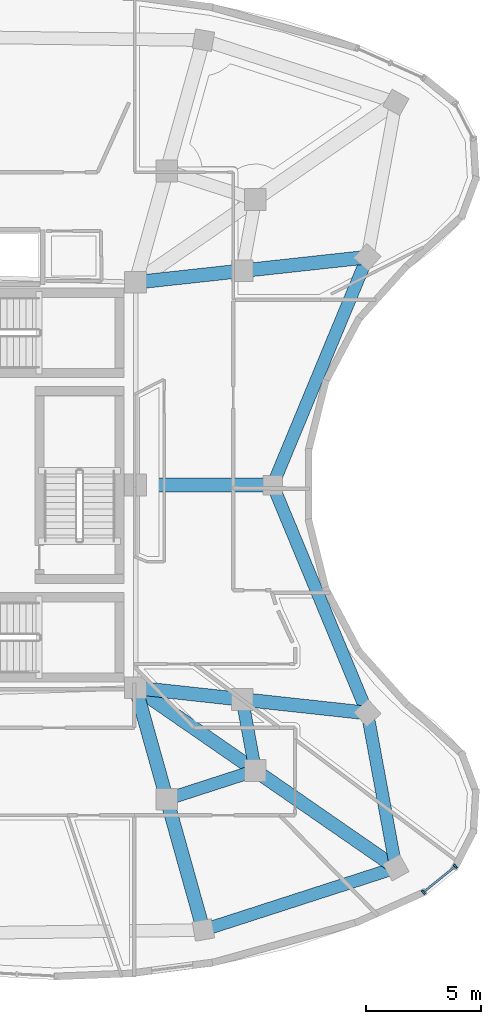
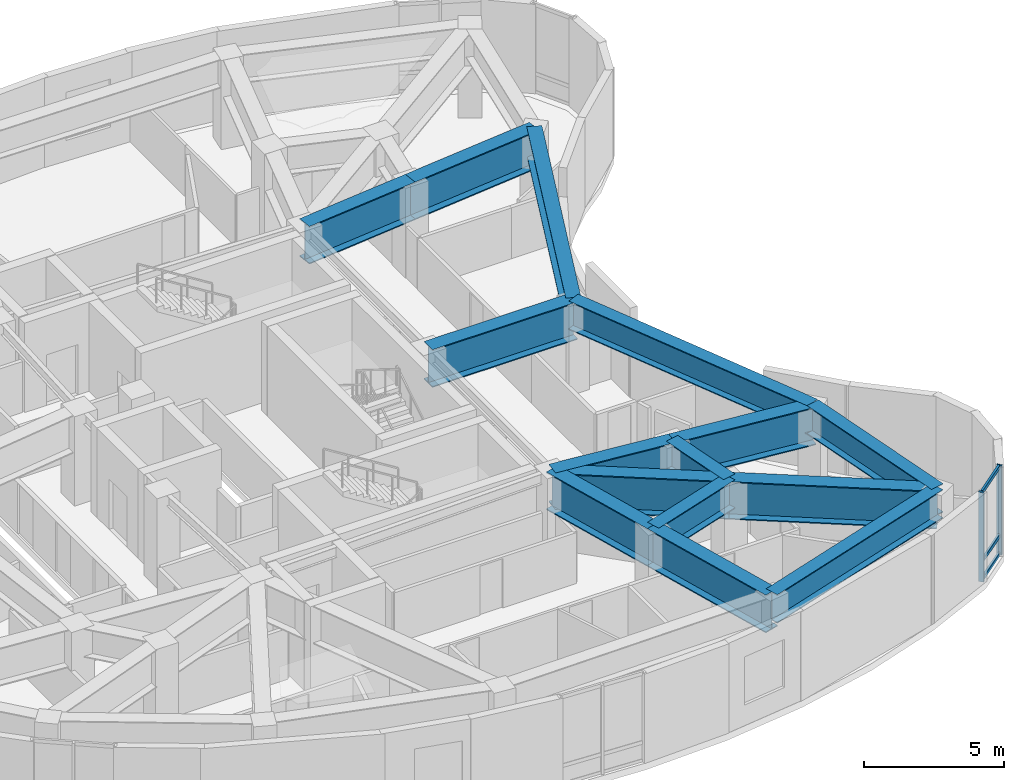
# One storey, part 3 of 13: 15 beams, 5 members, 1 element without a shape of its own.
"""IFC4 building model written with IfcOpenShell, lengths in metres."""

from ifc_helpers import new_model, si_unit, direction, frame, origin, origin_2d, place, context, subcontext, project, spatial, rectangle, i_section, extrude, material, layer, layer_set, material_profile, profile_set, type_object, element, aggregate, save


model = new_model("IFC4")

# Units and contexts
model_context = context("Model", 3, precision=1e-05, world=origin(), true_north=direction((0.0, 1.0)))
body_context = subcontext(model_context, "Body", "Model", "MODEL_VIEW")
ifc_project = project(units=[si_unit("LENGTHUNIT", "METRE"), si_unit("AREAUNIT", "SQUARE_METRE"), si_unit("VOLUMEUNIT", "CUBIC_METRE"), si_unit("PLANEANGLEUNIT", "RADIAN"), si_unit("MASSUNIT", "GRAM", prefix="KILO")], contexts=[model_context])

# Site, building, storey
site_placement = place(None, origin())
site = spatial("IfcSite", under=ifc_project, at=site_placement, CompositionType="ELEMENT")
building_placement = place(site_placement, origin())
building = spatial("IfcBuilding", under=site, at=building_placement, Name="Korentha Bioscience Tower", CompositionType="ELEMENT")
storey_placement = place(building_placement, frame((0.0, 0.0, 256.199951171875)))
storey = spatial("IfcBuildingStorey", under=building, at=storey_placement, Name="L59", CompositionType="ELEMENT", Elevation=256.199951171875)

# Beams
ifc_material_1 = material(Name="Steel S355", Category="steel")
ifc_material_profile_1 = material_profile(ifc_material_1, i_section(OverallWidth=0.550048828125, OverallDepth=1.25, WebThickness=0.02392578125, FlangeThickness=0.0400390625, at=origin_2d()), Name="Steel S355")
ifc_profile_set_1 = profile_set([ifc_material_profile_1], Name="Steel S355 (TG-03)")
beam_type_1 = type_object("IfcBeamType", Name="Crown Step Transfer Girder CVS 1250x510", PredefinedType="USERDEFINED", material=ifc_profile_set_1)
beam_1_placement = place(storey_placement, frame((38.9111328125, 13.285888671875, 3.275146484375), z_axis=(0.951528341902, 0.307561074514, 0.0), x_axis=(-0.307561074514, 0.951528341902, 0.0)))
element("IfcBeam", 1, at=beam_1_placement, inside=storey, type_object=beam_type_1, Name="L59 Mid-Ring Tie Girder 12", ObjectType="TRANSFER_GIRDER", PredefinedType="USERDEFINED", context=body_context, shape_type="SweptSolid", body=[
    extrude(i_section(OverallWidth=0.550048828125, OverallDepth=1.25, WebThickness=0.02392578125, FlangeThickness=0.0400390625, at=origin_2d()), origin(), (0.0, 0.0, 1.0), 4.062744140625),
])
beam_2_placement = place(storey_placement, frame((42.77685546875, 14.535400390625, 3.275146484375), z_axis=(-0.180965758034, 0.983489397207, 0.0), x_axis=(-0.983489397207, -0.180965758034, 0.0)))
element("IfcBeam", 2, at=beam_2_placement, inside=storey, type_object=beam_type_1, Name="L59 Mid-Ring Tie Girder 13", ObjectType="TRANSFER_GIRDER", PredefinedType="USERDEFINED", context=body_context, shape_type="SweptSolid", body=[
    extrude(i_section(OverallWidth=0.550048828125, OverallDepth=1.25, WebThickness=0.02392578125, FlangeThickness=0.0400390625, at=origin_2d()), origin(), (0.0, 0.0, 1.0), 3.15966796875),
])
beam_3_placement = place(storey_placement, frame((40.5087890625, 7.576171875, 3.275146484375), z_axis=(0.951540431246, 0.307523670151, 0.0), x_axis=(-0.307523670151, 0.951540431246, 0.0)))
element("IfcBeam", 3, at=beam_3_placement, inside=storey, type_object=beam_type_1, Name="L59 Perimeter Spandrel Girder 12", ObjectType="TRANSFER_GIRDER", PredefinedType="USERDEFINED", context=body_context, shape_type="SweptSolid", body=[
    extrude(i_section(OverallWidth=0.550048828125, OverallDepth=1.25, WebThickness=0.02392578125, FlangeThickness=0.0400390625, at=origin_2d()), origin(), (0.0, 0.0, 1.0), 8.83203125),
])
beam_4_placement = place(storey_placement, frame((48.912841796875, 10.292236328125, 3.275146484375), z_axis=(-0.180958869982, 0.98349066461, 0.0), x_axis=(-0.98349066461, -0.180958869982, 0.0)))
element("IfcBeam", 4, at=beam_4_placement, inside=storey, type_object=beam_type_1, Name="L59 Perimeter Spandrel Girder 13", ObjectType="TRANSFER_GIRDER", PredefinedType="USERDEFINED", context=body_context, shape_type="SweptSolid", body=[
    extrude(i_section(OverallWidth=0.550048828125, OverallDepth=1.25, WebThickness=0.02392578125, FlangeThickness=0.0400390625, at=origin_2d()), origin(), (0.0, 0.0, 1.0), 6.868408203125),
])
for number, where, z_axis, x_axis, name in (
    (5, (47.669921875, 17.04736328125, 3.275146484375), (-0.383518045315, 0.923533382676, 0.0), (-0.923533382676, -0.383518045315, 0.0), "L59 Perimeter Spandrel Girder 14"),
    (6, (43.536865234375, 27.0, 3.275146484375), (0.383518045315, 0.923533382676, 0.0), (-0.923533382676, 0.383518045315, 0.0), "L59 Perimeter Spandrel Girder 15"),
):
    element("IfcBeam", number, at=place(storey_placement, frame(where, z_axis=z_axis, x_axis=x_axis)), inside=storey, type_object=beam_type_1, Name=name, ObjectType="TRANSFER_GIRDER", PredefinedType="USERDEFINED", context=body_context, shape_type="SweptSolid", body=[
        extrude(i_section(OverallWidth=0.550048828125, OverallDepth=1.25, WebThickness=0.02392578125, FlangeThickness=0.0400390625, at=origin_2d()), origin(), (0.0, 0.0, 1.0), 10.776611328125),
    ])
ifc_material_profile_2 = material_profile(ifc_material_1, i_section(OverallWidth=0.60009765625, OverallDepth=1.64990234375, WebThickness=0.02587890625, FlangeThickness=0.0439453125, at=origin_2d()), Name="Steel S355")
ifc_profile_set_2 = profile_set([ifc_material_profile_2], Name="Steel S355 (TG-04)")
beam_type_2 = type_object("IfcBeamType", Name="Deep Setback Transfer Girder CVS 1650x620", PredefinedType="USERDEFINED", material=ifc_profile_set_2)
beam_5_placement = place(storey_placement, frame((37.550048828125, 18.14990234375, 3.074951171875), z_axis=(0.269475733077, -0.963007180286, 0.0), x_axis=(0.963007180286, 0.269475733077, 0.0)))
element("IfcBeam", 7, at=beam_5_placement, inside=storey, type_object=beam_type_2, Name="L59 Inner Radial Transfer Girder 12", ObjectType="TRANSFER_GIRDER", PredefinedType="USERDEFINED", context=body_context, shape_type="SweptSolid", body=[
    extrude(i_section(OverallWidth=0.60009765625, OverallDepth=1.64990234375, WebThickness=0.02587890625, FlangeThickness=0.0439453125, at=origin_2d()), origin(), (0.0, 0.0, 1.0), 5.05078125),
])
beam_6_placement = place(storey_placement, frame((38.9111328125, 13.285888671875, 3.074951171875), z_axis=(0.269463441067, -0.963010619842, 0.0), x_axis=(0.963010619842, 0.269463441067, 0.0)))
element("IfcBeam", 8, at=beam_6_placement, inside=storey, type_object=beam_type_2, Name="L59 Outer Radial Transfer Girder 12", ObjectType="TRANSFER_GIRDER", PredefinedType="USERDEFINED", context=body_context, shape_type="SweptSolid", body=[
    extrude(i_section(OverallWidth=0.60009765625, OverallDepth=1.64990234375, WebThickness=0.02587890625, FlangeThickness=0.0439453125, at=origin_2d()), origin(), (0.0, 0.0, 1.0), 5.928955078125),
])
beam_7_placement = place(storey_placement, frame((37.550048828125, 18.14990234375, 3.074951171875), z_axis=(0.822490816724, -0.568778389537, 0.0), x_axis=(0.568778389537, 0.822490816724, 0.0)))
element("IfcBeam", 9, at=beam_7_placement, inside=storey, type_object=beam_type_2, Name="L59 Inner Radial Transfer Girder 13", ObjectType="TRANSFER_GIRDER", PredefinedType="USERDEFINED", context=body_context, shape_type="SweptSolid", body=[
    extrude(i_section(OverallWidth=0.60009765625, OverallDepth=1.64990234375, WebThickness=0.02587890625, FlangeThickness=0.0439453125, at=origin_2d()), origin(), (0.0, 0.0, 1.0), 6.354736328125),
])
beam_8_placement = place(storey_placement, frame((42.77685546875, 14.535400390625, 3.074951171875), z_axis=(0.822494853441, -0.568772552135, 0.0), x_axis=(0.568772552135, 0.822494853441, 0.0)))
element("IfcBeam", 10, at=beam_8_placement, inside=storey, type_object=beam_type_2, Name="L59 Outer Radial Transfer Girder 13", ObjectType="TRANSFER_GIRDER", PredefinedType="USERDEFINED", context=body_context, shape_type="SweptSolid", body=[
    extrude(i_section(OverallWidth=0.60009765625, OverallDepth=1.64990234375, WebThickness=0.02587890625, FlangeThickness=0.0439453125, at=origin_2d()), origin(), (0.0, 0.0, 1.0), 7.460205078125),
])
beam_9_placement = place(storey_placement, frame((37.550048828125, 18.14990234375, 3.074951171875), z_axis=(0.994119231427, -0.108291060139, 0.0), x_axis=(0.108291060139, 0.994119231427, 0.0)))
element("IfcBeam", 11, at=beam_9_placement, inside=storey, type_object=beam_type_2, Name="L59 Inner Radial Transfer Girder 14", ObjectType="TRANSFER_GIRDER", PredefinedType="USERDEFINED", context=body_context, shape_type="SweptSolid", body=[
    extrude(i_section(OverallWidth=0.60009765625, OverallDepth=1.64990234375, WebThickness=0.02587890625, FlangeThickness=0.0439453125, at=origin_2d()), origin(), (0.0, 0.0, 1.0), 4.6826171875),
])
beam_10_placement = place(storey_placement, frame((42.205078125, 17.642822265625, 3.074951171875), z_axis=(0.994116010051, -0.108320628508, 0.0), x_axis=(0.108320628508, 0.994116010051, 0.0)))
element("IfcBeam", 12, at=beam_10_placement, inside=storey, type_object=beam_type_2, Name="L59 Outer Radial Transfer Girder 14", ObjectType="TRANSFER_GIRDER", PredefinedType="USERDEFINED", context=body_context, shape_type="SweptSolid", body=[
    extrude(i_section(OverallWidth=0.60009765625, OverallDepth=1.64990234375, WebThickness=0.02587890625, FlangeThickness=0.0439453125, at=origin_2d()), origin(), (0.0, 0.0, 1.0), 5.4970703125),
])
beam_11_placement = place(storey_placement, frame((37.550048828125, 27.0, 3.074951171875), z_axis=(1.0, 0.0, 0.0), x_axis=(0.0, 1.0, 0.0)))
element("IfcBeam", 13, at=beam_11_placement, inside=storey, type_object=beam_type_2, Name="L59 Radial Transfer Girder 15", ObjectType="TRANSFER_GIRDER", PredefinedType="USERDEFINED", context=body_context, shape_type="SweptSolid", body=[
    extrude(i_section(OverallWidth=0.60009765625, OverallDepth=1.64990234375, WebThickness=0.02587890625, FlangeThickness=0.0439453125, at=origin_2d()), origin(), (0.0, 0.0, 1.0), 5.98681640625),
])
beam_12_placement = place(storey_placement, frame((37.550048828125, 35.85009765625, 3.074951171875), z_axis=(0.994119231427, 0.108291060139, 0.0), x_axis=(-0.108291060139, 0.994119231427, 0.0)))
element("IfcBeam", 14, at=beam_12_placement, inside=storey, type_object=beam_type_2, Name="L59 Inner Radial Transfer Girder 16", ObjectType="TRANSFER_GIRDER", PredefinedType="USERDEFINED", context=body_context, shape_type="SweptSolid", body=[
    extrude(i_section(OverallWidth=0.60009765625, OverallDepth=1.64990234375, WebThickness=0.02587890625, FlangeThickness=0.0439453125, at=origin_2d()), origin(), (0.0, 0.0, 1.0), 4.6826171875),
])
beam_13_placement = place(storey_placement, frame((42.205078125, 36.357177734375, 3.074951171875), z_axis=(0.994116010051, 0.108320628508, 0.0), x_axis=(-0.108320628508, 0.994116010051, 0.0)))
element("IfcBeam", 15, at=beam_13_placement, inside=storey, type_object=beam_type_2, Name="L59 Outer Radial Transfer Girder 16", ObjectType="TRANSFER_GIRDER", PredefinedType="USERDEFINED", context=body_context, shape_type="SweptSolid", body=[
    extrude(i_section(OverallWidth=0.60009765625, OverallDepth=1.64990234375, WebThickness=0.02587890625, FlangeThickness=0.0439453125, at=origin_2d()), origin(), (0.0, 0.0, 1.0), 5.4970703125),
])

# Curtain wall, members
ifc_material_2 = material(Name="Thermally Broken Aluminium Frame", Category="aluminium")
ifc_layer = layer(ifc_material_2, 0.219970703125, Name="Thermally Broken Aluminium Frame")
ifc_layer_set = layer_set([ifc_layer], Name="Thermally Broken Aluminium Frame (CW-T1)")
curtain_wall_type = type_object("IfcCurtainWallType", Name="Standard Bioscience Lab Unitised Curtain Wall CW-T1", PredefinedType="USERDEFINED", material=ifc_layer_set)
curtain_wall_placement = place(storey_placement, origin())
curtain_wall = element("IfcCurtainWall", 16, at=curtain_wall_placement, inside=storey, type_object=curtain_wall_type, Name="L59 Curtain Wall 37", ObjectType="UNITISED", PredefinedType="USERDEFINED")
ifc_material_3 = material(Name="Anodised Aluminium 6063-T6", Category="aluminium")
ifc_material_profile_3 = material_profile(ifc_material_3, rectangle(XDim=0.090087890625, YDim=0.199951171875, at=origin_2d()), Name="Anodised Aluminium 6063-T6")
ifc_profile_set_3 = profile_set([ifc_material_profile_3], Name="Anodised Aluminium 6063-T6 (CW-MUL)")
member_type_1 = type_object("IfcMemberType", Name="Mullion RECT 90x200", PredefinedType="MULLION", material=ifc_profile_set_3)
member_1_placement = place(storey_placement, frame((50.1123046875, 9.225341796875, 0.0), z_axis=(0.0, 0.0, 1.0), x_axis=(0.777226359638, 0.629221094596, 0.0)))
member_1 = element("IfcMember", 17, at=member_1_placement, type_object=member_type_1, Name="CW-L59-37 Mullion 1", PredefinedType="MULLION", context=body_context, shape_type="SweptSolid", body=[
    extrude(rectangle(XDim=0.090087890625, YDim=0.199951171875, at=origin_2d()), origin(), (0.0, 0.0, 1.0), 3.900146484375),
])
member_2_placement = place(storey_placement, frame((51.509033203125, 10.356201171875, 0.0), z_axis=(0.0, 0.0, 1.0), x_axis=(0.777226359638, 0.629221094596, 0.0)))
member_2 = element("IfcMember", 18, at=member_2_placement, type_object=member_type_1, Name="CW-L59-37 Mullion 2", PredefinedType="MULLION", context=body_context, shape_type="SweptSolid", body=[
    extrude(rectangle(XDim=0.090087890625, YDim=0.199951171875, at=origin_2d()), origin(), (0.0, 0.0, 1.0), 3.900146484375),
])
ifc_material_profile_4 = material_profile(ifc_material_3, rectangle(XDim=0.090087890625, YDim=0.159912109375, at=origin_2d()), Name="Anodised Aluminium 6063-T6")
ifc_profile_set_4 = profile_set([ifc_material_profile_4], Name="Anodised Aluminium 6063-T6 (CW-TRN)")
member_type_2 = type_object("IfcMemberType", Name="Transom RECT 90x160", PredefinedType="USERDEFINED", material=ifc_profile_set_4)
member_3_placement = place(storey_placement, frame((50.1474609375, 9.253662109375, 0.045166015625), z_axis=(0.777171592091, 0.629288738535, 0.0), x_axis=(-0.629288738535, 0.777171592091, 0.0)))
member_3 = element("IfcMember", 19, at=member_3_placement, type_object=member_type_2, Name="CW-L59-37 Bay 1 Transom 1", ObjectType="TRANSOM", PredefinedType="USERDEFINED", context=body_context, shape_type="SweptSolid", body=[
    extrude(rectangle(XDim=0.090087890625, YDim=0.159912109375, at=origin_2d()), origin(), (0.0, 0.0, 1.0), 1.70703125),
])
member_4_placement = place(storey_placement, frame((50.1474609375, 9.253662109375, 0.85009765625), z_axis=(0.777171592091, 0.629288738535, 0.0), x_axis=(-0.629288738535, 0.777171592091, 0.0)))
member_4 = element("IfcMember", 20, at=member_4_placement, type_object=member_type_2, Name="CW-L59-37 Bay 1 Transom 2", ObjectType="TRANSOM", PredefinedType="USERDEFINED", context=body_context, shape_type="SweptSolid", body=[
    extrude(rectangle(XDim=0.090087890625, YDim=0.159912109375, at=origin_2d()), origin(), (0.0, 0.0, 1.0), 1.70703125),
])
member_5_placement = place(storey_placement, frame((50.1474609375, 9.253662109375, 3.85498046875), z_axis=(0.777171592091, 0.629288738535, 0.0), x_axis=(-0.629288738535, 0.777171592091, 0.0)))
member_5 = element("IfcMember", 21, at=member_5_placement, type_object=member_type_2, Name="CW-L59-37 Bay 1 Transom 3", ObjectType="TRANSOM", PredefinedType="USERDEFINED", context=body_context, shape_type="SweptSolid", body=[
    extrude(rectangle(XDim=0.090087890625, YDim=0.159912109375, at=origin_2d()), origin(), (0.0, 0.0, 1.0), 1.70703125),
])
aggregate(curtain_wall, [member_1, member_2, member_3, member_4, member_5])

save(model, "model.ifc")
